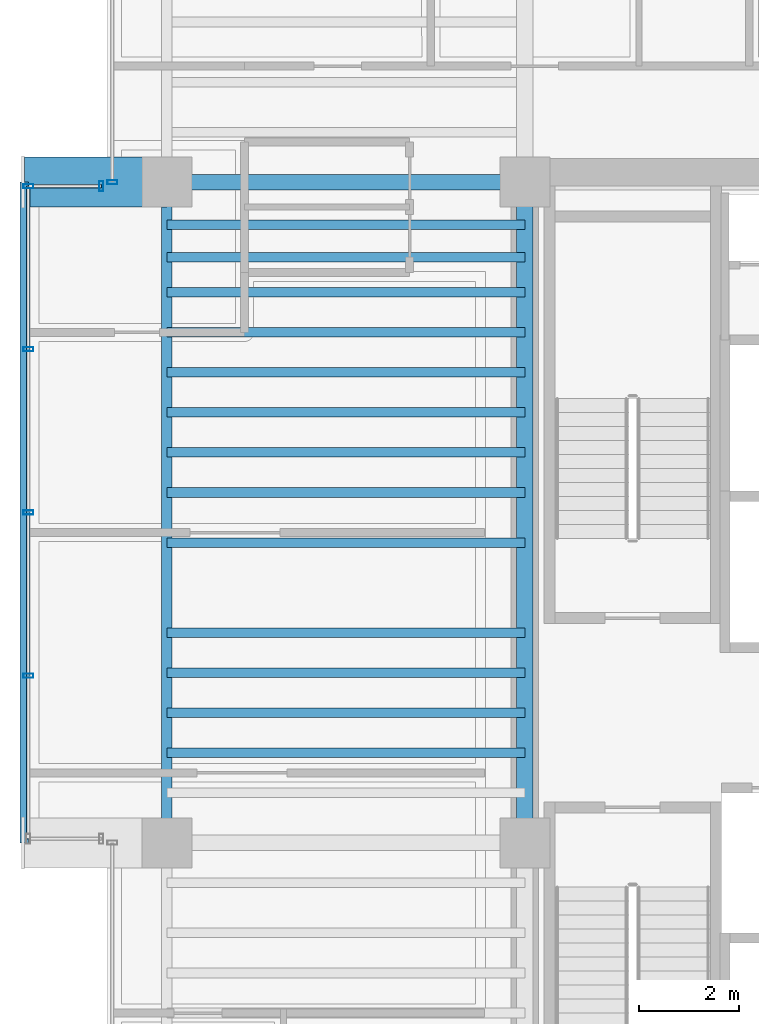
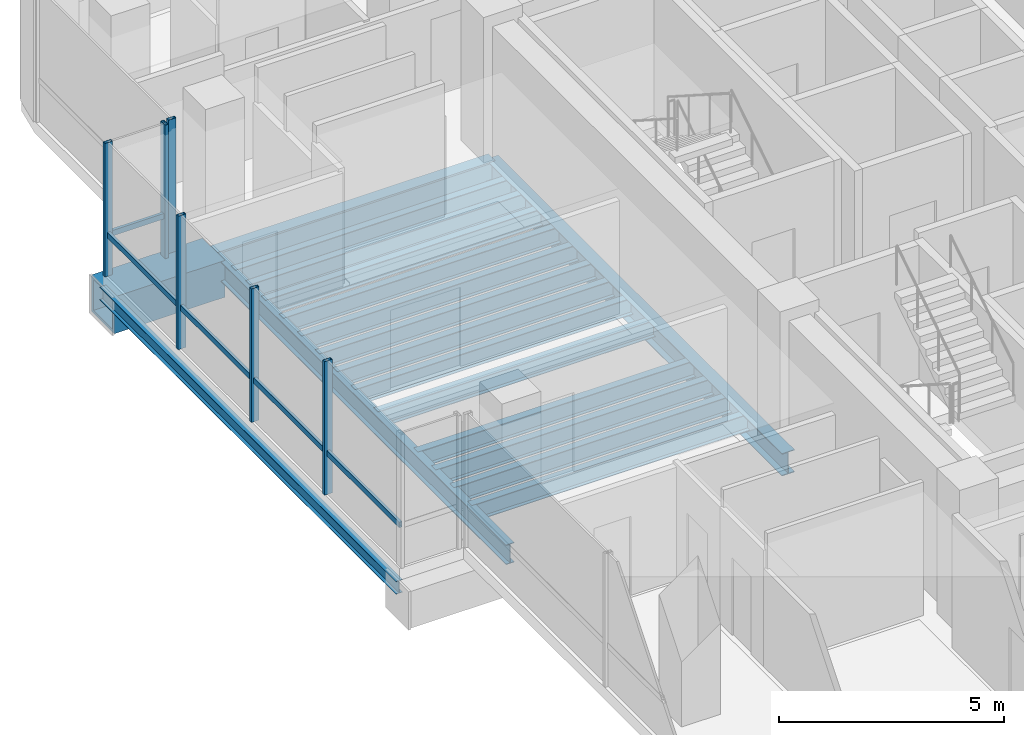
# One storey, part 7 of 38: 18 beams, 8 members, 3 elements without a shape of their own.
"""IFC4 building model written with IfcOpenShell, lengths in metres."""

from ifc_helpers import new_model, si_unit, direction, frame, origin, origin_2d, place, context, subcontext, project, spatial, hollow_rectangle, i_section, extrude, source, transform, mapped, material, material_profile, profile_set, type_object, element, aggregate, save


model = new_model("IFC4")

# Units and contexts
model_context = context("Model", 3, precision=1e-05, world=origin(), true_north=direction((0.0, 1.0)))
body_context = subcontext(model_context, "Body", "Model", "MODEL_VIEW")
ifc_project = project(units=[si_unit("LENGTHUNIT", "METRE"), si_unit("AREAUNIT", "SQUARE_METRE"), si_unit("VOLUMEUNIT", "CUBIC_METRE"), si_unit("PLANEANGLEUNIT", "RADIAN"), si_unit("MASSUNIT", "GRAM", prefix="KILO")], contexts=[model_context])

# Site, building, storey
site_placement = place(None, origin())
site = spatial("IfcSite", under=ifc_project, at=site_placement, CompositionType="ELEMENT")
building_placement = place(site_placement, origin())
building = spatial("IfcBuilding", under=site, at=building_placement, Name="Valdorenza Pilgrim Sanctuary Tower", CompositionType="ELEMENT")
storey_placement = place(building_placement, frame((0.0, 0.0, 180.5)))
storey = spatial("IfcBuildingStorey", under=building, at=storey_placement, Name="L46", CompositionType="ELEMENT", Elevation=180.5)

# Beams
ifc_material_1 = material(Name="Steel ASTM A992 Grade 50", Category="steel")
ifc_material_profile_1 = material_profile(ifc_material_1, i_section(OverallWidth=0.323974609375, OverallDepth=0.611083984375, WebThickness=0.0126953125, FlangeThickness=0.01904296875, at=origin_2d()), Name="W24X104")
ifc_profile_set_1 = profile_set([ifc_material_profile_1], Name="Steel ASTM A992 Grade 50")
beam_type_1 = type_object("IfcBeamType", Name="STR-BM-GRD-W24B", PredefinedType="BEAM", material=ifc_profile_set_1)
shared_shape_1 = source(origin(), body_context, "Body", "SweptSolid", [
    extrude(i_section(OverallWidth=0.323974609375, OverallDepth=0.611083984375, WebThickness=0.0126953125, FlangeThickness=0.01904296875, at=origin_2d()), origin(), (0.0, 0.0, 1.0), 13.2001953125),
])
beam_1_placement = place(storey_placement, frame((-22.64990234375, -2.60009765625, -0.62548828125), z_axis=(0.0, 1.0, 0.0), x_axis=(-1.0, 0.0, 0.0)))
element("IfcBeam", 1, at=beam_1_placement, inside=storey, type_object=beam_type_1, Name="L46 Core Tie Girder CA-W-M0N1", PredefinedType="BEAM", context=body_context, shape_type="MappedRepresentation", body=[
    mapped(shared_shape_1, transform((0.0, 0.0, 0.0), x_axis=(1.0, 0.0, 0.0), y_axis=(0.0, 1.0, 0.0), z_axis=(0.0, 0.0, 1.0), scale=1.0)),
])
ifc_material_profile_2 = material_profile(ifc_material_1, i_section(OverallWidth=0.1708984375, OverallDepth=0.35107421875, WebThickness=0.0068359375, FlangeThickness=0.009765625, at=origin_2d()), Name="W14X30")
ifc_profile_set_2 = profile_set([ifc_material_profile_2], Name="Steel ASTM A992 Grade 50")
beam_type_2 = type_object("IfcBeamType", Name="STR-BM-BOX-W14", PredefinedType="BEAM", material=ifc_profile_set_2)
shared_shape_2 = source(origin(), body_context, "Body", "SweptSolid", [
    extrude(i_section(OverallWidth=0.1708984375, OverallDepth=0.35107421875, WebThickness=0.0068359375, FlangeThickness=0.009765625, at=origin_2d()), origin(), (0.0, 0.0, 1.0), 13.2001953125),
])
beam_2_placement = place(storey_placement, frame((-32.64990234375, -2.60009765625, -0.49560546875), z_axis=(0.0, 1.0, 0.0), x_axis=(-1.0, 0.0, 0.0)))
element("IfcBeam", 2, at=beam_2_placement, inside=storey, type_object=beam_type_2, Name="L46 Glass Box Edge Beam BOX-WA-L46-F", PredefinedType="BEAM", context=body_context, shape_type="MappedRepresentation", body=[
    mapped(shared_shape_2, transform((0.0, 0.0, 0.0), x_axis=(1.0, 0.0, 0.0), y_axis=(0.0, 1.0, 0.0), z_axis=(0.0, 0.0, 1.0), scale=1.0)),
])
ifc_material_profile_3 = material_profile(ifc_material_1, i_section(OverallWidth=0.19091796875, OverallDepth=0.45703125, WebThickness=0.009033203125, FlangeThickness=0.014404296875, at=origin_2d()), Name="W18X50")
ifc_profile_set_3 = profile_set([ifc_material_profile_3], Name="Steel ASTM A992 Grade 50")
beam_type_3 = type_object("IfcBeamType", Name="STR-BM-JST-W18B", PredefinedType="JOIST", material=ifc_profile_set_3)
shared_shape_3 = source(origin(), body_context, "Body", "SweptSolid", [
    extrude(i_section(OverallWidth=0.19091796875, OverallDepth=0.45703125, WebThickness=0.009033203125, FlangeThickness=0.014404296875, at=origin_2d()), origin(), (0.0, 0.0, 1.0), 7.150146484375),
])
for number, where, z_axis, x_axis, name in (
    (3, (-29.800048828125, -0.800048828125, -0.548583984375), (1.0, 0.0, 0.0), (0.0, 1.0, 0.0), "L46 Composite Floor Joist JST-WA-11"),
    (4, (-29.800048828125, 0.0, -0.548583984375), (1.0, 0.0, 0.0), (0.0, 1.0, 0.0), "L46 Composite Floor Joist JST-WA-12"),
    (5, (-29.800048828125, 0.800048828125, -0.548583984375), (1.0, 0.0, 0.0), (0.0, 1.0, 0.0), "L46 Composite Floor Joist JST-WA-13"),
    (6, (-29.800048828125, 1.60009765625, -0.548583984375), (1.0, 0.0, 0.0), (0.0, 1.0, 0.0), "L46 Composite Floor Joist JST-WA-14"),
    (7, (-29.800048828125, 3.39990234375, -0.548583984375), (1.0, 0.0, 0.0), (0.0, 1.0, 0.0), "L46 Composite Floor Joist JST-WA-15"),
    (8, (-29.800048828125, 4.39990234375, -0.548583984375), (1.0, 0.0, 0.0), (0.0, 1.0, 0.0), "L46 Composite Floor Joist JST-WA-16"),
    (9, (-29.800048828125, 5.199951171875, -0.548583984375), (1.0, 0.0, 0.0), (0.0, 1.0, 0.0), "L46 Composite Floor Joist JST-WA-17"),
    (10, (-29.800048828125, 6.0, -0.548583984375), (1.0, 0.0, 0.0), (0.0, 1.0, 0.0), "L46 Composite Floor Joist JST-WA-18"),
    (11, (-29.800048828125, 6.800048828125, -0.548583984375), (1.0, 0.0, 0.0), (0.0, 1.0, 0.0), "L46 Composite Floor Joist JST-WA-19"),
    (12, (-29.800048828125, 7.60009765625, -0.548583984375), (1.0, 0.0, 0.0), (0.0, 1.0, 0.0), "L46 Composite Floor Joist JST-WA-20"),
    (13, (-29.800048828125, 8.39990234375, -0.548583984375), (1.0, 0.0, 0.0), (0.0, 1.0, 0.0), "L46 Composite Floor Joist JST-WA-21"),
    (14, (-29.800048828125, 9.10009765625, -0.548583984375), (1.0, 0.0, 0.0), (0.0, 1.0, 0.0), "L46 Composite Floor Joist JST-WA-22"),
    (15, (-29.800048828125, 9.75, -0.548583984375), (1.0, 0.0, 0.0), (0.0, 1.0, 0.0), "L46 Composite Floor Joist JST-WA-23"),
):
    element("IfcBeam", number, at=place(storey_placement, frame(where, z_axis=z_axis, x_axis=x_axis)), inside=storey, type_object=beam_type_3, Name=name, PredefinedType="JOIST", context=body_context, shape_type="MappedRepresentation", body=[
        mapped(shared_shape_3, transform((0.0, 0.0, 0.0), x_axis=(1.0, 0.0, 0.0), y_axis=(0.0, 1.0, 0.0), z_axis=(0.0, 0.0, 1.0), scale=1.0)),
    ])
ifc_material_2 = material(Name="Steel ASTM A572 Grade 42", Category="steel")
ifc_material_profile_4 = material_profile(ifc_material_2, hollow_rectangle(XDim=1.0, YDim=1.0, WallThickness=0.080078125, at=origin_2d()), Name="BOX 1000x1000x80")
ifc_profile_set_4 = profile_set([ifc_material_profile_4], Name="Steel ASTM A572 Grade 42")
beam_type_4 = type_object("IfcBeamType", Name="STR-BM-PROW-CANT", PredefinedType="BEAM", material=ifc_profile_set_4)
shared_shape_4 = source(origin(), body_context, "Body", "SweptSolid", [
    extrude(hollow_rectangle(XDim=1.0, YDim=1.0, WallThickness=0.080078125, at=origin_2d()), origin(), (0.0, 0.0, 1.0), 2.849853515625),
])
beam_3_placement = place(storey_placement, frame((-29.800048828125, 10.60009765625, -0.820068359375), z_axis=(-1.0, 0.0, 0.0), x_axis=(0.0, -1.0, 0.0)))
element("IfcBeam", 16, at=beam_3_placement, inside=storey, type_object=beam_type_4, Name="L46 Glass Box Cantilever Beam BOX-WA-L46-CT-N", PredefinedType="BEAM", context=body_context, shape_type="MappedRepresentation", body=[
    mapped(shared_shape_4, transform((0.0, 0.0, 0.0), x_axis=(1.0, 0.0, 0.0), y_axis=(0.0, 1.0, 0.0), z_axis=(0.0, 0.0, 1.0), scale=1.0)),
])
ifc_material_profile_5 = material_profile(ifc_material_1, i_section(OverallWidth=0.2109375, OverallDepth=0.5390625, WebThickness=0.01171875, FlangeThickness=0.018798828125, at=origin_2d()), Name="W21X73")
ifc_profile_set_5 = profile_set([ifc_material_profile_5], Name="Steel ASTM A992 Grade 50")
beam_type_5 = type_object("IfcBeamType", Name="STR-BM-SPN-W21B", PredefinedType="SPANDREL", material=ifc_profile_set_5)
shared_shape_5 = source(origin(), body_context, "Body", "SweptSolid", [
    extrude(i_section(OverallWidth=0.2109375, OverallDepth=0.5390625, WebThickness=0.01171875, FlangeThickness=0.018798828125, at=origin_2d()), origin(), (0.0, 0.0, 1.0), 13.2001953125),
])
beam_4_placement = place(storey_placement, frame((-29.800048828125, -2.60009765625, -0.589599609375), z_axis=(0.0, 1.0, 0.0), x_axis=(-1.0, 0.0, 0.0)))
element("IfcBeam", 17, at=beam_4_placement, inside=storey, type_object=beam_type_5, Name="L46 Spandrel Beam WA-W-M0N1", PredefinedType="SPANDREL", context=body_context, shape_type="MappedRepresentation", body=[
    mapped(shared_shape_5, transform((0.0, 0.0, 0.0), x_axis=(1.0, 0.0, 0.0), y_axis=(0.0, 1.0, 0.0), z_axis=(0.0, 0.0, 1.0), scale=1.0)),
])
ifc_material_profile_6 = material_profile(ifc_material_1, i_section(OverallWidth=0.31005859375, OverallDepth=0.949951171875, WebThickness=0.0244140625, FlangeThickness=0.0439453125, at=origin_2d()), Name="W36X256")
ifc_profile_set_6 = profile_set([ifc_material_profile_6], Name="Steel ASTM A992 Grade 50")
beam_type_6 = type_object("IfcBeamType", Name="STR-BM-GRD-W36B", PredefinedType="BEAM", material=ifc_profile_set_6)
shared_shape_6 = source(origin(), body_context, "Body", "SweptSolid", [
    extrude(i_section(OverallWidth=0.31005859375, OverallDepth=0.949951171875, WebThickness=0.0244140625, FlangeThickness=0.0439453125, at=origin_2d()), origin(), (0.0, 0.0, 1.0), 7.150146484375),
])
beam_5_placement = place(storey_placement, frame((-29.800048828125, 10.60009765625, -0.794921875), z_axis=(1.0, 0.0, 0.0), x_axis=(0.0, 1.0, 0.0)))
element("IfcBeam", 18, at=beam_5_placement, inside=storey, type_object=beam_type_6, Name="L46 Floor Girder WA-XW-N1", PredefinedType="BEAM", context=body_context, shape_type="MappedRepresentation", body=[
    mapped(shared_shape_6, transform((0.0, 0.0, 0.0), x_axis=(1.0, 0.0, 0.0), y_axis=(0.0, 1.0, 0.0), z_axis=(0.0, 0.0, 1.0), scale=1.0)),
])

# Curtain wall, member
ifc_material_3 = material(Name="Curtain-wall IGU glazing", Category="glass")
curtain_wall_type = type_object("IfcCurtainWallType", Name="CW-SYS-02", PredefinedType="NOTDEFINED", material=ifc_material_3)
curtain_wall_1_placement = place(storey_placement, origin())
curtain_wall_1 = element("IfcCurtainWall", 19, at=curtain_wall_1_placement, inside=storey, type_object=curtain_wall_type, Name="L46 Curtain Wall CW-L46-BOX-WA-L46-N", PredefinedType="NOTDEFINED")
ifc_material_4 = material(Name="Anodised aluminium AW-6060", Category="aluminium")
ifc_material_profile_7 = material_profile(ifc_material_4, hollow_rectangle(XDim=0.074951171875, YDim=0.14990234375, WallThickness=0.00390625, at=origin_2d()), Name="ALU-T 150x75x4")
ifc_profile_set_7 = profile_set([ifc_material_profile_7], Name="Anodised aluminium AW-6060")
member_type_1 = type_object("IfcMemberType", Name="CW-TRN-02", PredefinedType="USERDEFINED", material=ifc_profile_set_7)
shared_shape_7 = source(origin(), body_context, "Body", "SweptSolid", [
    extrude(hollow_rectangle(XDim=0.074951171875, YDim=0.14990234375, WallThickness=0.00390625, at=origin_2d()), origin(), (0.0, 0.0, 1.0), 1.4599609375),
])
member_1_placement = place(storey_placement, frame((-32.570068359375, 10.52001953125, 1.1201171875), z_axis=(1.0, 0.0, 0.0), x_axis=(0.0, 1.0, 0.0)))
member_1 = element("IfcMember", 20, at=member_1_placement, type_object=member_type_1, Name="CW-L46-BOX-WA-L46-N Transom 1", ObjectType="TRANSOM", PredefinedType="USERDEFINED", context=body_context, shape_type="MappedRepresentation", body=[
    mapped(shared_shape_7, transform((0.0, 0.0, 0.0), x_axis=(1.0, 0.0, 0.0), y_axis=(0.0, 1.0, 0.0), z_axis=(0.0, 0.0, 1.0), scale=1.0)),
])

curtain_wall_2_placement = place(storey_placement, origin())
curtain_wall_2 = element("IfcCurtainWall", 21, at=curtain_wall_2_placement, inside=storey, type_object=curtain_wall_type, Name="L46 Curtain Wall CW-L46-BOX-WA-L46-F", PredefinedType="NOTDEFINED")
shared_shape_8 = source(origin(), body_context, "Body", "SweptSolid", [
    extrude(hollow_rectangle(XDim=0.074951171875, YDim=0.14990234375, WallThickness=0.00390625, at=origin_2d()), origin(), (0.0, 0.0, 1.0), 13.0400390625),
])
member_2_placement = place(storey_placement, frame((-32.570068359375, -2.52001953125, 1.1201171875), z_axis=(0.0, 1.0, 0.0), x_axis=(-1.0, 0.0, 0.0)))
member_2 = element("IfcMember", 22, at=member_2_placement, type_object=member_type_1, Name="CW-L46-BOX-WA-L46-F Transom 1", ObjectType="TRANSOM", PredefinedType="USERDEFINED", context=body_context, shape_type="MappedRepresentation", body=[
    mapped(shared_shape_8, transform((0.0, 0.0, 0.0), x_axis=(1.0, 0.0, 0.0), y_axis=(0.0, 1.0, 0.0), z_axis=(0.0, 0.0, 1.0), scale=1.0)),
])

curtain_wall_3_placement = place(storey_placement, origin())
curtain_wall_3 = element("IfcCurtainWall", 23, at=curtain_wall_3_placement, inside=storey, type_object=curtain_wall_type, Name="L46 Curtain Wall CW-L46-1-1S2", PredefinedType="NOTDEFINED")
ifc_material_profile_8 = material_profile(ifc_material_4, hollow_rectangle(XDim=0.0849609375, YDim=0.199951171875, WallThickness=0.0048828125, at=origin_2d()), Name="ALU-M 200x85x5")
ifc_profile_set_8 = profile_set([ifc_material_profile_8], Name="Anodised aluminium AW-6060")
member_type_2 = type_object("IfcMemberType", Name="CW-MUL-02", PredefinedType="MULLION", material=ifc_profile_set_8)
shared_shape_9 = source(origin(), body_context, "Body", "SweptSolid", [
    extrude(hollow_rectangle(XDim=0.0849609375, YDim=0.199951171875, WallThickness=0.0048828125, at=origin_2d()), origin(), (0.0, 0.0, 1.0), 3.6298828125),
])
member_3_placement = place(storey_placement, frame((-30.889892578125, 10.60009765625, 0.0), z_axis=(0.0, 0.0, 1.0), x_axis=(0.0, 1.0, 0.0)))
member_3 = element("IfcMember", 24, at=member_3_placement, type_object=member_type_2, Name="CW-L46-1-1S2 Mullion 1", PredefinedType="MULLION", context=body_context, shape_type="MappedRepresentation", body=[
    mapped(shared_shape_9, transform((0.0, 0.0, 0.0), x_axis=(1.0, 0.0, 0.0), y_axis=(0.0, 1.0, 0.0), z_axis=(0.0, 0.0, 1.0), scale=1.0)),
])
aggregate(curtain_wall_3, [member_3])

# Member
member_4_placement = place(storey_placement, frame((-32.570068359375, 0.739990234375, 0.0), z_axis=(0.0, 0.0, 1.0), x_axis=(0.0, 1.0, 0.0)))
member_4 = element("IfcMember", 25, at=member_4_placement, type_object=member_type_2, Name="CW-L46-BOX-WA-L46-F Mullion 2", PredefinedType="MULLION", context=body_context, shape_type="MappedRepresentation", body=[
    mapped(shared_shape_9, transform((0.0, 0.0, 0.0), x_axis=(1.0, 0.0, 0.0), y_axis=(0.0, 1.0, 0.0), z_axis=(0.0, 0.0, 1.0), scale=1.0)),
])

member_5_placement = place(storey_placement, frame((-32.570068359375, 4.0, 0.0), z_axis=(0.0, 0.0, 1.0), x_axis=(0.0, 1.0, 0.0)))
member_5 = element("IfcMember", 26, at=member_5_placement, type_object=member_type_2, Name="CW-L46-BOX-WA-L46-F Mullion 3", PredefinedType="MULLION", context=body_context, shape_type="MappedRepresentation", body=[
    mapped(shared_shape_9, transform((0.0, 0.0, 0.0), x_axis=(1.0, 0.0, 0.0), y_axis=(0.0, 1.0, 0.0), z_axis=(0.0, 0.0, 1.0), scale=1.0)),
])

member_6_placement = place(storey_placement, frame((-32.570068359375, 7.260009765625, 0.0), z_axis=(0.0, 0.0, 1.0), x_axis=(0.0, 1.0, 0.0)))
member_6 = element("IfcMember", 27, at=member_6_placement, type_object=member_type_2, Name="CW-L46-BOX-WA-L46-F Mullion 4", PredefinedType="MULLION", context=body_context, shape_type="MappedRepresentation", body=[
    mapped(shared_shape_9, transform((0.0, 0.0, 0.0), x_axis=(1.0, 0.0, 0.0), y_axis=(0.0, 1.0, 0.0), z_axis=(0.0, 0.0, 1.0), scale=1.0)),
])

member_7_placement = place(storey_placement, frame((-32.570068359375, 10.52001953125, 0.0), z_axis=(0.0, 0.0, 1.0), x_axis=(0.0, 1.0, 0.0)))
member_7 = element("IfcMember", 28, at=member_7_placement, type_object=member_type_2, Name="CW-L46-BOX-WA-L46-F Mullion 5", PredefinedType="MULLION", context=body_context, shape_type="MappedRepresentation", body=[
    mapped(shared_shape_9, transform((0.0, 0.0, 0.0), x_axis=(1.0, 0.0, 0.0), y_axis=(0.0, 1.0, 0.0), z_axis=(0.0, 0.0, 1.0), scale=1.0)),
])

aggregate(curtain_wall_2, [member_4, member_5, member_6, member_7, member_2])

member_8_placement = place(storey_placement, frame((-31.110107421875, 10.52001953125, 0.0), z_axis=(0.0, 0.0, 1.0), x_axis=(1.0, 0.0, 0.0)))
member_8 = element("IfcMember", 29, at=member_8_placement, type_object=member_type_2, Name="CW-L46-BOX-WA-L46-N Mullion 2", PredefinedType="MULLION", context=body_context, shape_type="MappedRepresentation", body=[
    mapped(shared_shape_9, transform((0.0, 0.0, 0.0), x_axis=(1.0, 0.0, 0.0), y_axis=(0.0, 1.0, 0.0), z_axis=(0.0, 0.0, 1.0), scale=1.0)),
])

aggregate(curtain_wall_1, [member_8, member_1])

save(model, "model.ifc")
